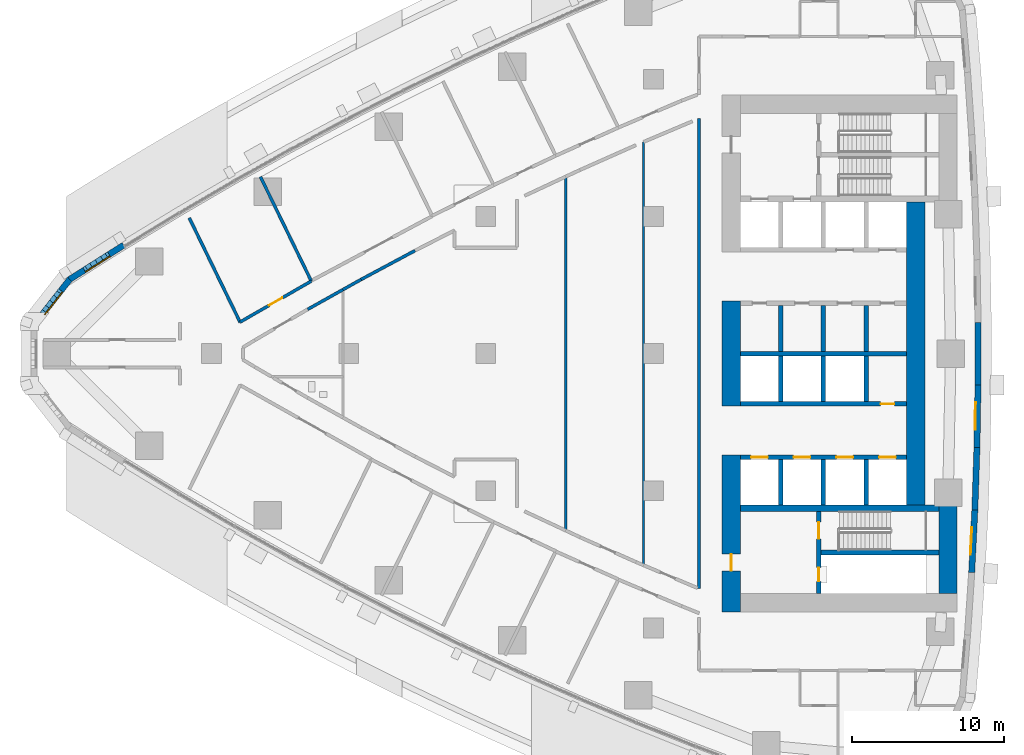
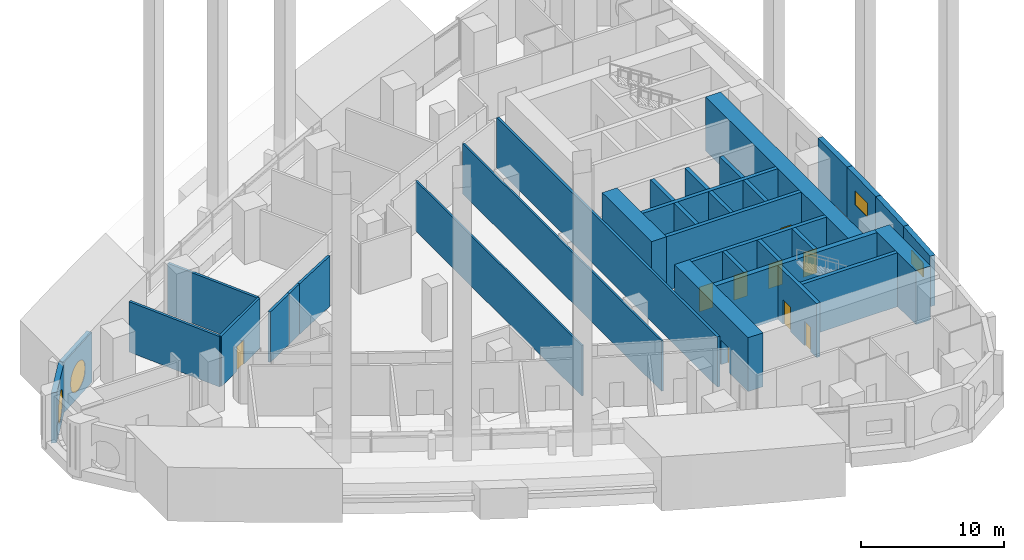
# One storey, part 11 of 20: 34 walls, 9 doors, 4 windows, 13 openings.
"""IFC4 building model written with IfcOpenShell, lengths in metres."""

from ifc_helpers import new_model, si_unit, direction, frame, frame_2d, origin, place, context, subcontext, project, spatial, polyline, rectangle, outline, extrude, material, layer, layer_set, type_object, element, fill, save


model = new_model("IFC4")

# Units and contexts
model_context = context("Model", 3, precision=1e-05, world=origin(), true_north=direction((0.0, 1.0)))
body_context = subcontext(model_context, "Body", "Model", "MODEL_VIEW")
ifc_project = project(units=[si_unit("LENGTHUNIT", "METRE"), si_unit("AREAUNIT", "SQUARE_METRE"), si_unit("VOLUMEUNIT", "CUBIC_METRE"), si_unit("PLANEANGLEUNIT", "RADIAN"), si_unit("MASSUNIT", "GRAM", prefix="KILO")], contexts=[model_context])

# Site, building, storey
site_placement = place(None, origin())
site = spatial("IfcSite", under=ifc_project, at=site_placement, CompositionType="ELEMENT")
building_placement = place(site_placement, origin())
building = spatial("IfcBuilding", under=site, at=building_placement, Name="Ostrand Prow Hotel Tower", CompositionType="ELEMENT")
storey_placement = place(building_placement, frame((0.0, 0.0, 35.0)))
storey = spatial("IfcBuildingStorey", under=building, at=storey_placement, Name="L06", CompositionType="ELEMENT", Elevation=35.0)

# Wall
ifc_material_1 = material(Name="Concrete C80/95", Category="concrete")
ifc_layer_1 = layer(ifc_material_1, 1.199951171875)
ifc_layer_set_1 = layer_set([ifc_layer_1], Name="Concrete C80/95")
wall_type_1 = type_object("IfcWallType", Name="Core wall 1200 C80/95", PredefinedType="SHEAR", material=ifc_layer_set_1)
wall_1_placement = place(storey_placement, frame((50.10009765625, -3.449951171875, 0.0), z_axis=(0.0, 0.0, 1.0), x_axis=(0.0, 1.0, 0.0)))
element("IfcWall", 1, at=wall_1_placement, inside=storey, type_object=wall_type_1, Name="Core wall CW-W-C", PredefinedType="SHEAR", context=body_context, shape_type="SweptSolid", body=[
    extrude(rectangle(XDim=6.89990234375, YDim=1.199951171875, at=frame_2d((3.449951171875, 0.0))), origin(), (0.0, 0.0, 1.0), 4.60009765625),
])

# Wall, opening, door
wall_2_placement = place(storey_placement, frame((50.10009765625, -16.949951171875, 0.0), z_axis=(0.0, 0.0, 1.0), x_axis=(0.0, 1.0, 0.0)))
wall_2 = element("IfcWall", 2, at=wall_2_placement, inside=storey, type_object=wall_type_1, Name="Core wall CW-W-S", PredefinedType="SHEAR", context=body_context, shape_type="SweptSolid", body=[
    extrude(rectangle(XDim=10.300048828125, YDim=1.199951171875, at=frame_2d((5.14990234375, 0.0))), origin(), (0.0, 0.0, 1.0), 4.60009765625),
])
opening_1_placement = place(wall_2_placement, frame((2.699951171875, 0.0, 0.0)))
opening_1 = element("IfcOpeningElement", 3, at=opening_1_placement, cuts=wall_2, Name="Opening FD1", PredefinedType="OPENING", context=body_context, shape_type="SweptSolid", body=[
    extrude(rectangle(XDim=1.10009765625, YDim=2.10009765625, at=frame_2d((0.550048828125, 1.050048828125))), frame((0.0, 0.60986328125, 0.0), z_axis=(0.0, -1.0, 0.0), x_axis=(1.0, 0.0, 0.0)), (0.0, 0.0, 1.0), 1.219970703125),
])
ifc_material_2 = material(Name="Steel fire door", Category="steel")
door_type_1 = type_object("IfcDoorType", Name="Fire door 1100 EI120", OperationType="SINGLE_SWING_RIGHT", PredefinedType="DOOR", material=ifc_material_2)
door_1_placement = place(opening_1_placement, origin())
door_1 = element("IfcDoor", 4, at=door_1_placement, inside=storey, type_object=door_type_1, Name="FIRE DOOR", OperationType="SINGLE_SWING_RIGHT", OverallHeight=2.10009765625, OverallWidth=1.10009765625, PredefinedType="DOOR", context=body_context, shape_type="SweptSolid", body=[
    extrude(rectangle(XDim=1.10009765625, YDim=2.10009765625, at=frame_2d((0.550048828125, 1.050048828125))), frame((0.0, 0.02490234375, 0.0), z_axis=(0.0, -1.0, 0.0), x_axis=(1.0, 0.0, 0.0)), (0.0, 0.0, 1.0), 0.050048828125),
])
fill(opening_1, door_1)

# Walls
wall_3_placement = place(storey_placement, frame((64.320068359375, -15.75, 0.0), z_axis=(0.0, 0.0, 1.0), x_axis=(0.0, 1.0, 0.0)))
element("IfcWall", 5, at=wall_3_placement, inside=storey, type_object=wall_type_1, Name="Core wall CW-E-S", PredefinedType="SHEAR", context=body_context, shape_type="SweptSolid", body=[
    extrude(rectangle(XDim=5.800048828125, YDim=1.199951171875, at=frame_2d((2.89990234375, 0.0))), origin(), (0.0, 0.0, 1.0), 4.60009765625),
])
wall_4_placement = place(storey_placement, frame((62.199951171875, -9.949951171875, 0.0), z_axis=(0.0, 0.0, 1.0), x_axis=(0.0, 1.0, 0.0)))
element("IfcWall", 6, at=wall_4_placement, inside=storey, type_object=wall_type_1, Name="Core wall CW-E-C", PredefinedType="SHEAR", context=body_context, shape_type="SweptSolid", body=[
    extrude(rectangle(XDim=19.89990234375, YDim=1.199951171875, at=frame_2d((9.949951171875, 0.0))), origin(), (0.0, 0.0, 1.0), 4.60009765625),
])
ifc_material_3 = material(Name="Concrete C80/95", Category="concrete")
ifc_layer_2 = layer(ifc_material_3, 0.300048828125)
ifc_layer_set_2 = layer_set([ifc_layer_2], Name="Concrete C80/95")
wall_type_2 = type_object("IfcWallType", Name="Core wall 300 C80/95", PredefinedType="SHEAR", material=ifc_layer_set_2)
wall_5_placement = place(storey_placement, frame((50.699951171875, 0.0, 0.0), z_axis=(0.0, 0.0, 1.0), x_axis=(1.0, 0.0, 0.0)))
element("IfcWall", 7, at=wall_5_placement, inside=storey, type_object=wall_type_2, Name="Core wall PW-C", PredefinedType="SHEAR", context=body_context, shape_type="SweptSolid", body=[
    extrude(rectangle(XDim=10.900146484375, YDim=0.300048828125, at=frame_2d((5.4501953125, 0.0))), origin(), (0.0, 0.0, 1.0), 4.60009765625),
])
for number, where, z_axis, x_axis, name in (
    (8, (53.35009765625, 0.14990234375, 0.0), (0.0, 0.0, 1.0), (0.0, 1.0, 0.0), "Core wall PW-R1-NB"),
    (9, (56.14990234375, 0.14990234375, 0.0), (0.0, 0.0, 1.0), (0.0, 1.0, 0.0), "Core wall PW-R2-NB"),
    (10, (58.949951171875, 0.14990234375, 0.0), (0.0, 0.0, 1.0), (0.0, 1.0, 0.0), "Core wall PW-R3-NB"),
):
    element("IfcWall", number, at=place(storey_placement, frame(where, z_axis=z_axis, x_axis=x_axis)), inside=storey, type_object=wall_type_2, Name=name, PredefinedType="SHEAR", context=body_context, shape_type="SweptSolid", body=[
        extrude(rectangle(XDim=3.0, YDim=0.300048828125, at=frame_2d((1.5, 0.0))), origin(), (0.0, 0.0, 1.0), 4.60009765625),
    ])

# Wall, opening, door
wall_6_placement = place(storey_placement, frame((50.699951171875, -3.300048828125, 0.0), z_axis=(0.0, 0.0, 1.0), x_axis=(1.0, 0.0, 0.0)))
wall_6 = element("IfcWall", 11, at=wall_6_placement, inside=storey, type_object=wall_type_2, Name="Core wall PW-L1-S", PredefinedType="SHEAR", context=body_context, shape_type="SweptSolid", body=[
    extrude(rectangle(XDim=10.900146484375, YDim=0.300048828125, at=frame_2d((5.4501953125, 0.0))), origin(), (0.0, 0.0, 1.0), 4.60009765625),
])
opening_2_placement = place(wall_6_placement, frame((9.199951171875, 0.0, 0.0)))
opening_2 = element("IfcOpeningElement", 12, at=opening_2_placement, cuts=wall_6, Name="Opening FD2", PredefinedType="OPENING", context=body_context, shape_type="SweptSolid", body=[
    extrude(rectangle(XDim=0.89990234375, YDim=2.10009765625, at=frame_2d((0.449951171875, 1.050048828125))), frame((0.0, 0.159912109375, 0.0), z_axis=(0.0, -1.0, 0.0), x_axis=(1.0, 0.0, 0.0)), (0.0, 0.0, 1.0), 0.320068359375),
])
ifc_material_4 = material(Name="Steel fire door", Category="steel")
door_type_2 = type_object("IfcDoorType", Name="Fire door 900 EI120", OperationType="SINGLE_SWING_LEFT", PredefinedType="DOOR", material=ifc_material_4)
door_2_placement = place(opening_2_placement, origin())
door_2 = element("IfcDoor", 13, at=door_2_placement, inside=storey, type_object=door_type_2, Name="DOOR", OperationType="SINGLE_SWING_LEFT", OverallHeight=2.10009765625, OverallWidth=0.89990234375, PredefinedType="DOOR", context=body_context, shape_type="SweptSolid", body=[
    extrude(rectangle(XDim=0.89990234375, YDim=2.10009765625, at=frame_2d((0.449951171875, 1.050048828125))), frame((0.0, 0.02490234375, 0.0), z_axis=(0.0, -1.0, 0.0), x_axis=(1.0, 0.0, 0.0)), (0.0, 0.0, 1.0), 0.050048828125),
])
fill(opening_2, door_2)

# Wall, openings, doors
wall_7_placement = place(storey_placement, frame((50.699951171875, -6.800048828125, 0.0), z_axis=(0.0, 0.0, 1.0), x_axis=(1.0, 0.0, 0.0)))
wall_7 = element("IfcWall", 14, at=wall_7_placement, inside=storey, type_object=wall_type_2, Name="Core wall PW-L2-S", PredefinedType="SHEAR", context=body_context, shape_type="SweptSolid", body=[
    extrude(rectangle(XDim=10.900146484375, YDim=0.300048828125, at=frame_2d((5.4501953125, 0.0))), origin(), (0.0, 0.0, 1.0), 4.60009765625),
])
opening_3_placement = place(wall_7_placement, frame((0.699951171875, 0.0, 0.0)))
opening_3 = element("IfcOpeningElement", 15, at=opening_3_placement, cuts=wall_7, Name="Opening LD", PredefinedType="OPENING", context=body_context, shape_type="SweptSolid", body=[
    extrude(rectangle(XDim=1.10009765625, YDim=2.10009765625, at=frame_2d((0.550048828125, 1.050048828125))), frame((0.0, 0.159912109375, 0.0), z_axis=(0.0, -1.0, 0.0), x_axis=(1.0, 0.0, 0.0)), (0.0, 0.0, 1.0), 0.320068359375),
])
opening_4_placement = place(wall_7_placement, frame((3.5, 0.0, 0.0)))
opening_4 = element("IfcOpeningElement", 16, at=opening_4_placement, cuts=wall_7, Name="Opening LD", PredefinedType="OPENING", context=body_context, shape_type="SweptSolid", body=[
    extrude(rectangle(XDim=1.10009765625, YDim=2.10009765625, at=frame_2d((0.550048828125, 1.050048828125))), frame((0.0, 0.159912109375, 0.0), z_axis=(0.0, -1.0, 0.0), x_axis=(1.0, 0.0, 0.0)), (0.0, 0.0, 1.0), 0.320068359375),
])
opening_5_placement = place(wall_7_placement, frame((6.300048828125, 0.0, 0.0)))
opening_5 = element("IfcOpeningElement", 17, at=opening_5_placement, cuts=wall_7, Name="Opening LD", PredefinedType="OPENING", context=body_context, shape_type="SweptSolid", body=[
    extrude(rectangle(XDim=1.10009765625, YDim=2.10009765625, at=frame_2d((0.550048828125, 1.050048828125))), frame((0.0, 0.159912109375, 0.0), z_axis=(0.0, -1.0, 0.0), x_axis=(1.0, 0.0, 0.0)), (0.0, 0.0, 1.0), 0.320068359375),
])
opening_6_placement = place(wall_7_placement, frame((9.10009765625, 0.0, 0.0)))
opening_6 = element("IfcOpeningElement", 18, at=opening_6_placement, cuts=wall_7, Name="Opening LD", PredefinedType="OPENING", context=body_context, shape_type="SweptSolid", body=[
    extrude(rectangle(XDim=1.10009765625, YDim=2.10009765625, at=frame_2d((0.550048828125, 1.050048828125))), frame((0.0, 0.159912109375, 0.0), z_axis=(0.0, -1.0, 0.0), x_axis=(1.0, 0.0, 0.0)), (0.0, 0.0, 1.0), 0.320068359375),
])
ifc_material_5 = material(Name="Stainless steel door", Category="steel")
door_type_3 = type_object("IfcDoorType", Name="Lift landing door 1100", OperationType="DOUBLE_DOOR_SLIDING", PredefinedType="DOOR", material=ifc_material_5)
door_3_placement = place(opening_3_placement, origin())
door_3 = element("IfcDoor", 19, at=door_3_placement, inside=storey, type_object=door_type_3, Name="LIFT LANDING DOOR", OperationType="DOUBLE_DOOR_SLIDING", OverallHeight=2.10009765625, OverallWidth=1.10009765625, PredefinedType="DOOR", context=body_context, shape_type="SweptSolid", body=[
    extrude(rectangle(XDim=1.10009765625, YDim=2.10009765625, at=frame_2d((0.550048828125, 1.050048828125))), frame((0.0, 0.02490234375, 0.0), z_axis=(0.0, -1.0, 0.0), x_axis=(1.0, 0.0, 0.0)), (0.0, 0.0, 1.0), 0.050048828125),
])
fill(opening_3, door_3)
door_4_placement = place(opening_4_placement, origin())
door_4 = element("IfcDoor", 20, at=door_4_placement, inside=storey, type_object=door_type_3, Name="LIFT LANDING DOOR", OperationType="DOUBLE_DOOR_SLIDING", OverallHeight=2.10009765625, OverallWidth=1.10009765625, PredefinedType="DOOR", context=body_context, shape_type="SweptSolid", body=[
    extrude(rectangle(XDim=1.10009765625, YDim=2.10009765625, at=frame_2d((0.550048828125, 1.050048828125))), frame((0.0, 0.02490234375, 0.0), z_axis=(0.0, -1.0, 0.0), x_axis=(1.0, 0.0, 0.0)), (0.0, 0.0, 1.0), 0.050048828125),
])
fill(opening_4, door_4)
door_5_placement = place(opening_5_placement, origin())
door_5 = element("IfcDoor", 21, at=door_5_placement, inside=storey, type_object=door_type_3, Name="LIFT LANDING DOOR", OperationType="DOUBLE_DOOR_SLIDING", OverallHeight=2.10009765625, OverallWidth=1.10009765625, PredefinedType="DOOR", context=body_context, shape_type="SweptSolid", body=[
    extrude(rectangle(XDim=1.10009765625, YDim=2.10009765625, at=frame_2d((0.550048828125, 1.050048828125))), frame((0.0, 0.02490234375, 0.0), z_axis=(0.0, -1.0, 0.0), x_axis=(1.0, 0.0, 0.0)), (0.0, 0.0, 1.0), 0.050048828125),
])
fill(opening_5, door_5)
door_6_placement = place(opening_6_placement, origin())
door_6 = element("IfcDoor", 22, at=door_6_placement, inside=storey, type_object=door_type_3, Name="LIFT LANDING DOOR", OperationType="DOUBLE_DOOR_SLIDING", OverallHeight=2.10009765625, OverallWidth=1.10009765625, PredefinedType="DOOR", context=body_context, shape_type="SweptSolid", body=[
    extrude(rectangle(XDim=1.10009765625, YDim=2.10009765625, at=frame_2d((0.550048828125, 1.050048828125))), frame((0.0, 0.02490234375, 0.0), z_axis=(0.0, -1.0, 0.0), x_axis=(1.0, 0.0, 0.0)), (0.0, 0.0, 1.0), 0.050048828125),
])
fill(opening_6, door_6)

# Walls
for number, where, z_axis, x_axis, name in (
    (23, (53.35009765625, -3.14990234375, 0.0), (0.0, 0.0, 1.0), (0.0, 1.0, 0.0), "Core wall PW-R1-SB"),
    (24, (53.35009765625, -9.949951171875, 0.0), (0.0, 0.0, 1.0), (0.0, 1.0, 0.0), "Core wall PW-R1-SA"),
    (25, (56.14990234375, -3.14990234375, 0.0), (0.0, 0.0, 1.0), (0.0, 1.0, 0.0), "Core wall PW-R2-SB"),
    (26, (56.14990234375, -9.949951171875, 0.0), (0.0, 0.0, 1.0), (0.0, 1.0, 0.0), "Core wall PW-R2-SA"),
    (27, (58.949951171875, -3.14990234375, 0.0), (0.0, 0.0, 1.0), (0.0, 1.0, 0.0), "Core wall PW-R3-SB"),
    (28, (58.949951171875, -9.949951171875, 0.0), (0.0, 0.0, 1.0), (0.0, 1.0, 0.0), "Core wall PW-R3-SA"),
):
    element("IfcWall", number, at=place(storey_placement, frame(where, z_axis=z_axis, x_axis=x_axis)), inside=storey, type_object=wall_type_2, Name=name, PredefinedType="SHEAR", context=body_context, shape_type="SweptSolid", body=[
        extrude(rectangle(XDim=3.0, YDim=0.300048828125, at=frame_2d((1.5, 0.0))), origin(), (0.0, 0.0, 1.0), 4.60009765625),
    ])

# Wall, openings, doors
wall_8_placement = place(storey_placement, frame((55.85009765625, -15.75, 0.0), z_axis=(0.0, 0.0, 1.0), x_axis=(0.0, 1.0, 0.0)))
wall_8 = element("IfcWall", 29, at=wall_8_placement, inside=storey, type_object=wall_type_2, Name="Core wall PW-VS", PredefinedType="SHEAR", context=body_context, shape_type="SweptSolid", body=[
    extrude(rectangle(XDim=5.39990234375, YDim=0.300048828125, at=frame_2d((2.699951171875, 0.0))), origin(), (0.0, 0.0, 1.0), 4.60009765625),
])
opening_7_placement = place(wall_8_placement, frame((3.60009765625, 0.0, 0.0)))
opening_7 = element("IfcOpeningElement", 30, at=opening_7_placement, cuts=wall_8, Name="Opening FD1", PredefinedType="OPENING", context=body_context, shape_type="SweptSolid", body=[
    extrude(rectangle(XDim=1.10009765625, YDim=2.10009765625, at=frame_2d((0.550048828125, 1.050048828125))), frame((0.0, 0.159912109375, 0.0), z_axis=(0.0, -1.0, 0.0), x_axis=(1.0, 0.0, 0.0)), (0.0, 0.0, 1.0), 0.320068359375),
])
opening_8_placement = place(wall_8_placement, frame((0.800048828125, 0.0, 0.0)))
opening_8 = element("IfcOpeningElement", 31, at=opening_8_placement, cuts=wall_8, Name="Opening FD2", PredefinedType="OPENING", context=body_context, shape_type="SweptSolid", body=[
    extrude(rectangle(XDim=0.89990234375, YDim=2.10009765625, at=frame_2d((0.449951171875, 1.050048828125))), frame((0.0, 0.159912109375, 0.0), z_axis=(0.0, -1.0, 0.0), x_axis=(1.0, 0.0, 0.0)), (0.0, 0.0, 1.0), 0.320068359375),
])
door_7_placement = place(opening_7_placement, origin())
door_7 = element("IfcDoor", 32, at=door_7_placement, inside=storey, type_object=door_type_1, Name="FIRE DOOR", OperationType="SINGLE_SWING_RIGHT", OverallHeight=2.10009765625, OverallWidth=1.10009765625, PredefinedType="DOOR", context=body_context, shape_type="SweptSolid", body=[
    extrude(rectangle(XDim=1.10009765625, YDim=2.10009765625, at=frame_2d((0.550048828125, 1.050048828125))), frame((0.0, 0.02490234375, 0.0), z_axis=(0.0, -1.0, 0.0), x_axis=(1.0, 0.0, 0.0)), (0.0, 0.0, 1.0), 0.050048828125),
])
fill(opening_7, door_7)
door_8_placement = place(opening_8_placement, origin())
door_8 = element("IfcDoor", 33, at=door_8_placement, inside=storey, type_object=door_type_2, Name="FIRE DOOR", OperationType="SINGLE_SWING_LEFT", OverallHeight=2.10009765625, OverallWidth=0.89990234375, PredefinedType="DOOR", context=body_context, shape_type="SweptSolid", body=[
    extrude(rectangle(XDim=0.89990234375, YDim=2.10009765625, at=frame_2d((0.449951171875, 1.050048828125))), frame((0.0, 0.02490234375, 0.0), z_axis=(0.0, -1.0, 0.0), x_axis=(1.0, 0.0, 0.0)), (0.0, 0.0, 1.0), 0.050048828125),
])
fill(opening_8, door_8)

# Walls
wall_9_placement = place(storey_placement, frame((56.0, -13.050048828125, 0.0), z_axis=(0.0, 0.0, 1.0), x_axis=(1.0, 0.0, 0.0)))
element("IfcWall", 34, at=wall_9_placement, inside=storey, type_object=wall_type_2, Name="Core wall PW-ST2R", PredefinedType="SHEAR", context=body_context, shape_type="SweptSolid", body=[
    extrude(rectangle(XDim=7.719970703125, YDim=0.300048828125, at=frame_2d((3.85986328125, 0.0))), origin(), (0.0, 0.0, 1.0), 4.60009765625),
])
ifc_material_6 = material(Name="Concrete C80/95", Category="concrete")
ifc_layer_3 = layer(ifc_material_6, 0.39990234375)
ifc_layer_set_3 = layer_set([ifc_layer_3], Name="Concrete C80/95")
wall_type_3 = type_object("IfcWallType", Name="Core wall 400 C80/95", PredefinedType="SHEAR", material=ifc_layer_set_3)
wall_10_placement = place(storey_placement, frame((50.699951171875, -10.14990234375, 0.0), z_axis=(0.0, 0.0, 1.0), x_axis=(1.0, 0.0, 0.0)))
element("IfcWall", 35, at=wall_10_placement, inside=storey, type_object=wall_type_3, Name="Core wall PW-BS", PredefinedType="SHEAR", context=body_context, shape_type="SweptSolid", body=[
    extrude(rectangle(XDim=13.02001953125, YDim=0.39990234375, at=frame_2d((6.510009765625, 0.0))), origin(), (0.0, 0.0, 1.0), 4.60009765625),
])
ifc_material_7 = material(Name="Plasterboard partition")
ifc_layer_4 = layer(ifc_material_7, 0.14990234375)
ifc_layer_set_4 = layer_set([ifc_layer_4], Name="Plasterboard partition")
wall_type_4 = type_object("IfcWallType", Name="Partition 150 room partition", PredefinedType="PARTITIONING", material=ifc_layer_set_4)
wall_11_placement = place(storey_placement, frame((39.234130859375, -11.60693359375, 0.0), z_axis=(0.0, 0.0, 1.0), x_axis=(0.0, 1.0, 0.0)))
element("IfcWall", 36, at=wall_11_placement, inside=storey, type_object=wall_type_4, Name="ROOM PARTITION", PredefinedType="PARTITIONING", context=body_context, shape_type="SweptSolid", body=[
    extrude(rectangle(XDim=23.2138671875, YDim=0.14990234375, at=frame_2d((11.60693359375, 0.0))), origin(), (0.0, 0.0, 1.0), 4.300048828125),
])
wall_12_placement = place(storey_placement, frame((44.34765625, -13.88720703125, 0.0), z_axis=(0.0, 0.0, 1.0), x_axis=(0.0, 1.0, 0.0)))
element("IfcWall", 37, at=wall_12_placement, inside=storey, type_object=wall_type_4, Name="ROOM PARTITION", PredefinedType="PARTITIONING", context=body_context, shape_type="SweptSolid", body=[
    extrude(rectangle(XDim=27.7744140625, YDim=0.14990234375, at=frame_2d((13.88720703125, 0.0))), origin(), (0.0, 0.0, 1.0), 4.300048828125),
])

# Wall, opening, door
ifc_material_8 = material(Name="Plasterboard partition")
ifc_layer_5 = layer(ifc_material_8, 0.199951171875)
ifc_layer_set_5 = layer_set([ifc_layer_5], Name="Plasterboard partition")
wall_type_5 = type_object("IfcWallType", Name="Partition 200 corridor wall", PredefinedType="PARTITIONING", material=ifc_layer_set_5)
wall_13_placement = place(storey_placement, frame((17.87353515625, 2.068115234375, 0.0), z_axis=(0.0, 0.0, 1.0), x_axis=(0.867093061484, 0.4981461861, 0.0)))
wall_13 = element("IfcWall", 38, at=wall_13_placement, inside=storey, type_object=wall_type_5, Name="CORRIDOR WALL", PredefinedType="PARTITIONING", context=body_context, shape_type="SweptSolid", body=[
    extrude(rectangle(XDim=5.39306640625, YDim=0.199951171875, at=frame_2d((2.696533203125, 0.0))), origin(), (0.0, 0.0, 1.0), 4.300048828125),
])
opening_9_placement = place(wall_13_placement, frame((2.196533203125, 0.0, 0.0)))
opening_9 = element("IfcOpeningElement", 39, at=opening_9_placement, cuts=wall_13, Name="Opening D1", PredefinedType="OPENING", context=body_context, shape_type="SweptSolid", body=[
    extrude(rectangle(XDim=1.0, YDim=2.10009765625, at=frame_2d((0.5, 1.050048828125))), frame((0.0, 0.10986328125, 0.0), z_axis=(0.0, -1.0, 0.0), x_axis=(1.0, 0.0, 0.0)), (0.0, 0.0, 1.0), 0.219970703125),
])
ifc_material_9 = material(Name="Timber door leaf", Category="wood")
door_type_4 = type_object("IfcDoorType", Name="Guest room door 1000", OperationType="SINGLE_SWING_LEFT", PredefinedType="DOOR", material=ifc_material_9)
door_9_placement = place(opening_9_placement, origin())
door_9 = element("IfcDoor", 40, at=door_9_placement, inside=storey, type_object=door_type_4, Name="DOOR", OperationType="SINGLE_SWING_LEFT", OverallHeight=2.10009765625, OverallWidth=1.0, PredefinedType="DOOR", context=body_context, shape_type="SweptSolid", body=[
    extrude(rectangle(XDim=1.0, YDim=2.10009765625, at=frame_2d((0.5, 1.050048828125))), frame((0.0, 0.02490234375, 0.0), z_axis=(0.0, -1.0, 0.0), x_axis=(1.0, 0.0, 0.0)), (0.0, 0.0, 1.0), 0.050048828125),
])
fill(opening_9, door_9)

# Walls
wall_14_placement = place(storey_placement, frame((22.31201171875, 2.903076171875, 0.0), z_axis=(0.0, 0.0, 1.0), x_axis=(0.87283266248, 0.48801961365, 0.0)))
element("IfcWall", 41, at=wall_14_placement, inside=storey, type_object=wall_type_5, Name="CORRIDOR WALL", PredefinedType="PARTITIONING", context=body_context, shape_type="SweptSolid", body=[
    extrude(rectangle(XDim=2.6494140625, YDim=0.199951171875, at=frame_2d((1.32470703125, 0.0))), origin(), (0.0, 0.0, 1.0), 4.300048828125),
])
wall_15_placement = place(storey_placement, frame((24.62451171875, 4.196044921875, 0.0), z_axis=(0.0, 0.0, 1.0), x_axis=(0.872737500828, 0.488189773191, 0.0)))
element("IfcWall", 42, at=wall_15_placement, inside=storey, type_object=wall_type_5, Name="CORRIDOR WALL", PredefinedType="PARTITIONING", context=body_context, shape_type="SweptSolid", body=[
    extrude(rectangle(XDim=1.3662109375, YDim=0.199951171875, at=frame_2d((0.68310546875, 0.0))), origin(), (0.0, 0.0, 1.0), 4.300048828125),
])
wall_16_placement = place(storey_placement, frame((25.81689453125, 4.863037109375, 0.0), z_axis=(0.0, 0.0, 1.0), x_axis=(0.881655245922, 0.471894084874, 0.0)))
element("IfcWall", 43, at=wall_16_placement, inside=storey, type_object=wall_type_5, Name="CORRIDOR WALL", PredefinedType="PARTITIONING", context=body_context, shape_type="SweptSolid", body=[
    extrude(rectangle(XDim=4.015869140625, YDim=0.199951171875, at=frame_2d((2.0078125, 0.0))), origin(), (0.0, 0.0, 1.0), 4.300048828125),
])
wall_17_placement = place(storey_placement, frame((48.0, 15.4140625, 0.0), z_axis=(0.0, 0.0, 1.0), x_axis=(0.0, -1.0, 0.0)))
element("IfcWall", 44, at=wall_17_placement, inside=storey, type_object=wall_type_5, Name="CORRIDOR WALL", PredefinedType="PARTITIONING", context=body_context, shape_type="SweptSolid", body=[
    extrude(rectangle(XDim=30.828125, YDim=0.199951171875, at=frame_2d((15.4140625, 0.0))), origin(), (0.0, 0.0, 1.0), 4.300048828125),
])
ifc_material_10 = material(Name="Plasterboard partition")
ifc_layer_6 = layer(ifc_material_10, 0.199951171875)
ifc_layer_set_6 = layer_set([ifc_layer_6], Name="Plasterboard partition")
wall_type_6 = type_object("IfcWallType", Name="Partition 200 key partition", PredefinedType="PARTITIONING", material=ifc_layer_set_6)
wall_18_placement = place(storey_placement, frame((17.88232421875, 2.050048828125, 0.0), z_axis=(0.0, 0.0, 1.0), x_axis=(-0.438213564788, 0.898870887078, 0.0)))
element("IfcWall", 45, at=wall_18_placement, inside=storey, type_object=wall_type_6, Name="KEY PARTITION", PredefinedType="PARTITIONING", context=body_context, shape_type="SweptSolid", body=[
    extrude(rectangle(XDim=7.62548828125, YDim=0.199951171875, at=frame_2d((3.812744140625, 0.0))), origin(), (0.0, 0.0, 1.0), 4.300048828125),
])
wall_19_placement = place(storey_placement, frame((22.5498046875, 4.754638671875, 0.0), z_axis=(0.0, 0.0, 1.0), x_axis=(-0.438210669268, 0.898872298683, 0.0)))
element("IfcWall", 46, at=wall_19_placement, inside=storey, type_object=wall_type_6, Name="KEY PARTITION", PredefinedType="PARTITIONING", context=body_context, shape_type="SweptSolid", body=[
    extrude(rectangle(XDim=7.612060546875, YDim=0.199951171875, at=frame_2d((3.80615234375, 0.0))), origin(), (0.0, 0.0, 1.0), 4.300048828125),
])

# Wall, opening, window
ifc_material_11 = material(Name="Precast concrete C40/50", Category="concrete")
ifc_layer_7 = layer(ifc_material_11, 0.39990234375)
ifc_layer_set_7 = layer_set([ifc_layer_7], Name="Precast concrete C40/50")
wall_type_7 = type_object("IfcWallType", Name="Stone-faced precast wall 400 mm", PredefinedType="NOTDEFINED", material=ifc_layer_set_7)
wall_20_placement = place(storey_placement, frame((10.24169921875, 7.116455078125, 0.0), z_axis=(0.0, 0.0, 1.0), x_axis=(-0.844551578623, -0.535474211372, 0.0)))
wall_20 = element("IfcWall", 47, at=wall_20_placement, inside=storey, type_object=wall_type_7, Name="Stone-faced wall prow 1", PredefinedType="NOTDEFINED", context=body_context, shape_type="SweptSolid", body=[
    extrude(outline(polyline([(0.0, -0.199951171875), (4.23046875, -0.199951171875), (4.16162109375, 0.199951171875), (0.0, 0.199951171875), (0.0, -0.199951171875)])), origin(), (0.0, 0.0, 1.0), 4.300048828125),
])
opening_10_placement = place(wall_20_placement, frame((0.998046875, 0.0, 0.60009765625)))
opening_10 = element("IfcOpeningElement", 48, at=opening_10_placement, cuts=wall_20, Name="Opening WP2", PredefinedType="OPENING", context=body_context, shape_type="SweptSolid", body=[
    extrude(outline(polyline([(0.0, 1.35009765625), (0.083740234375, 1.77099609375), (0.322265625, 2.127685546875), (0.678955078125, 2.3662109375), (1.10009765625, 2.449951171875), (1.52099609375, 2.3662109375), (1.877685546875, 2.127685546875), (2.1162109375, 1.77099609375), (2.199951171875, 1.35009765625), (2.199951171875, 1.10009765625), (2.1162109375, 0.678955078125), (1.877685546875, 0.322265625), (1.52099609375, 0.083740234375), (1.10009765625, 0.0), (0.678955078125, 0.083740234375), (0.322265625, 0.322265625), (0.083740234375, 0.678955078125), (0.0, 1.099853515625), (0.0, 1.35009765625)])), frame((0.0, 0.2099609375, 0.0), z_axis=(0.0, -1.0, 0.0), x_axis=(1.0, 0.0, 0.0)), (0.0, 0.0, 1.0), 0.419921875),
])
ifc_material_12 = material(Name="Insulated glass in bronze frame", Category="glass")
window_type_1 = type_object("IfcWindowType", Name="Round-ended prow lounge window 2200x2450", PartitioningType="SINGLE_PANEL", PredefinedType="WINDOW", material=ifc_material_12)
window_1_placement = place(opening_10_placement, origin())
window_1 = element("IfcWindow", 49, at=window_1_placement, inside=storey, type_object=window_type_1, Name="Window prow 1.1", OverallHeight=2.449951171875, OverallWidth=2.199951171875, PartitioningType="SINGLE_PANEL", PredefinedType="WINDOW", context=body_context, shape_type="SweptSolid", body=[
    extrude(outline(polyline([(0.0, 1.35009765625), (0.083740234375, 1.77099609375), (0.322265625, 2.127685546875), (0.678955078125, 2.3662109375), (1.10009765625, 2.449951171875), (1.52099609375, 2.3662109375), (1.877685546875, 2.127685546875), (2.1162109375, 1.77099609375), (2.199951171875, 1.35009765625), (2.199951171875, 1.10009765625), (2.1162109375, 0.678955078125), (1.877685546875, 0.322265625), (1.52099609375, 0.083740234375), (1.10009765625, 0.0), (0.678955078125, 0.083740234375), (0.322265625, 0.322265625), (0.083740234375, 0.678955078125), (0.0, 1.099853515625), (0.0, 1.35009765625)])), frame((0.0, 0.169921875, 0.0), z_axis=(0.0, -1.0, 0.0), x_axis=(1.0, 0.0, 0.0)), (0.0, 0.0, 1.0), 0.06005859375),
])
fill(opening_10, window_1)

wall_21_placement = place(storey_placement, frame((6.697998046875, 4.86962890625, 0.0), z_axis=(0.0, 0.0, 1.0), x_axis=(-0.616586647779, -0.787287054245, 0.0)))
wall_21 = element("IfcWall", 50, at=wall_21_placement, inside=storey, type_object=wall_type_7, Name="Stone-faced wall prow 2", PredefinedType="NOTDEFINED", context=body_context, shape_type="SweptSolid", body=[
    extrude(outline(polyline([(-0.034423828125, -0.199951171875), (3.85205078125, -0.199951171875), (3.7138671875, 0.199951171875), (0.034423828125, 0.199951171875), (-0.034423828125, -0.199951171875)])), origin(), (0.0, 0.0, 1.0), 4.300048828125),
])
opening_11_placement = place(wall_21_placement, frame((0.79150390625, 0.0, 0.60009765625)))
opening_11 = element("IfcOpeningElement", 51, at=opening_11_placement, cuts=wall_21, Name="Opening WP2", PredefinedType="OPENING", context=body_context, shape_type="SweptSolid", body=[
    extrude(outline(polyline([(0.0, 1.35009765625), (0.083740234375, 1.77099609375), (0.322265625, 2.127685546875), (0.678955078125, 2.3662109375), (1.10009765625, 2.449951171875), (1.52099609375, 2.3662109375), (1.877685546875, 2.127685546875), (2.1162109375, 1.77099609375), (2.199951171875, 1.35009765625), (2.199951171875, 1.10009765625), (2.1162109375, 0.678955078125), (1.877685546875, 0.322265625), (1.52099609375, 0.083740234375), (1.10009765625, 0.0), (0.678955078125, 0.083740234375), (0.322265625, 0.322265625), (0.083740234375, 0.678955078125), (0.0, 1.099853515625), (0.0, 1.35009765625)])), frame((0.0, 0.2099609375, 0.0), z_axis=(0.0, -1.0, 0.0), x_axis=(1.0, 0.0, 0.0)), (0.0, 0.0, 1.0), 0.419921875),
])
window_2_placement = place(opening_11_placement, origin())
window_2 = element("IfcWindow", 52, at=window_2_placement, inside=storey, type_object=window_type_1, Name="Window prow 2.1", OverallHeight=2.449951171875, OverallWidth=2.199951171875, PartitioningType="SINGLE_PANEL", PredefinedType="WINDOW", context=body_context, shape_type="SweptSolid", body=[
    extrude(outline(polyline([(0.0, 1.35009765625), (0.083740234375, 1.77099609375), (0.322265625, 2.127685546875), (0.678955078125, 2.3662109375), (1.10009765625, 2.449951171875), (1.52099609375, 2.3662109375), (1.877685546875, 2.127685546875), (2.1162109375, 1.77099609375), (2.199951171875, 1.35009765625), (2.199951171875, 1.10009765625), (2.1162109375, 0.678955078125), (1.877685546875, 0.322265625), (1.52099609375, 0.083740234375), (1.10009765625, 0.0), (0.678955078125, 0.083740234375), (0.322265625, 0.322265625), (0.083740234375, 0.678955078125), (0.0, 1.099853515625), (0.0, 1.35009765625)])), frame((0.0, 0.169921875, 0.0), z_axis=(0.0, -1.0, 0.0), x_axis=(1.0, 0.0, 0.0)), (0.0, 0.0, 1.0), 0.06005859375),
])
fill(opening_11, window_2)

wall_22_placement = place(storey_placement, frame((65.878173828125, -14.359619140625, 0.0), z_axis=(0.0, 0.0, 1.0), x_axis=(0.050314326423, 0.998733432181, 0.0)))
wall_22 = element("IfcWall", 53, at=wall_22_placement, inside=storey, type_object=wall_type_7, Name="Stone-faced wall back 7", PredefinedType="NOTDEFINED", context=body_context, shape_type="SweptSolid", body=[
    extrude(outline(polyline([(-0.001708984375, -0.199951171875), (4.106689453125, -0.199951171875), (4.103271484375, 0.199951171875), (0.001708984375, 0.199951171875), (-0.001708984375, -0.199951171875)])), origin(), (0.0, 0.0, 1.0), 4.300048828125),
])
opening_12_placement = place(wall_22_placement, frame((1.152587890625, 0.0, 1.800048828125)))
opening_12 = element("IfcOpeningElement", 54, at=opening_12_placement, cuts=wall_22, Name="Opening WC1", PredefinedType="OPENING", context=body_context, shape_type="SweptSolid", body=[
    extrude(rectangle(XDim=1.800048828125, YDim=1.199951171875, at=frame_2d((0.89990234375, 0.60009765625))), frame((0.0, 0.2099609375, 0.0), z_axis=(0.0, -1.0, 0.0), x_axis=(1.0, 0.0, 0.0)), (0.0, 0.0, 1.0), 0.419921875),
])
ifc_material_13 = material(Name="Insulated glass in bronze frame", Category="glass")
window_type_2 = type_object("IfcWindowType", Name="Sky lobby clerestory window 1800x1200", PartitioningType="SINGLE_PANEL", PredefinedType="WINDOW", material=ifc_material_13)
window_3_placement = place(opening_12_placement, origin())
window_3 = element("IfcWindow", 55, at=window_3_placement, inside=storey, type_object=window_type_2, Name="Window back 7.1", OverallHeight=1.199951171875, OverallWidth=1.800048828125, PartitioningType="SINGLE_PANEL", PredefinedType="WINDOW", context=body_context, shape_type="SweptSolid", body=[
    extrude(rectangle(XDim=1.800048828125, YDim=1.199951171875, at=frame_2d((0.89990234375, 0.60009765625))), frame((0.0, 0.169921875, 0.0), z_axis=(0.0, -1.0, 0.0), x_axis=(1.0, 0.0, 0.0)), (0.0, 0.0, 1.0), 0.06005859375),
])
fill(opening_12, window_3)

# Wall
wall_23_placement = place(storey_placement, frame((66.084716796875, -10.259765625, 0.0), z_axis=(0.0, 0.0, 1.0), x_axis=(0.033542554696, 0.999437290191, 0.0)))
element("IfcWall", 56, at=wall_23_placement, inside=storey, type_object=wall_type_7, Name="Stone-faced wall back 8", PredefinedType="NOTDEFINED", context=body_context, shape_type="SweptSolid", body=[
    extrude(outline(polyline([(-0.001708984375, -0.199951171875), (4.106689453125, -0.199951171875), (4.103271484375, 0.199951171875), (0.001708984375, 0.199951171875), (-0.001708984375, -0.199951171875)])), origin(), (0.0, 0.0, 1.0), 4.300048828125),
])

# Wall, opening, window
wall_24_placement = place(storey_placement, frame((66.222412109375, -6.156982421875, 0.0), z_axis=(0.0, 0.0, 1.0), x_axis=(0.016830829972, 0.999858351549, 0.0)))
wall_24 = element("IfcWall", 57, at=wall_24_placement, inside=storey, type_object=wall_type_7, Name="Stone-faced wall back 9", PredefinedType="NOTDEFINED", context=body_context, shape_type="SweptSolid", body=[
    extrude(outline(polyline([(-0.001708984375, -0.199951171875), (4.106689453125, -0.199951171875), (4.103271484375, 0.199951171875), (0.001708984375, 0.199951171875), (-0.001708984375, -0.199951171875)])), origin(), (0.0, 0.0, 1.0), 4.300048828125),
])
opening_13_placement = place(wall_24_placement, frame((1.152587890625, 0.0, 1.800048828125)))
opening_13 = element("IfcOpeningElement", 58, at=opening_13_placement, cuts=wall_24, Name="Opening WC1", PredefinedType="OPENING", context=body_context, shape_type="SweptSolid", body=[
    extrude(rectangle(XDim=1.800048828125, YDim=1.199951171875, at=frame_2d((0.89990234375, 0.60009765625))), frame((0.0, 0.2099609375, 0.0), z_axis=(0.0, -1.0, 0.0), x_axis=(1.0, 0.0, 0.0)), (0.0, 0.0, 1.0), 0.419921875),
])
window_4_placement = place(opening_13_placement, origin())
window_4 = element("IfcWindow", 59, at=window_4_placement, inside=storey, type_object=window_type_2, Name="Window back 9.1", OverallHeight=1.199951171875, OverallWidth=1.800048828125, PartitioningType="SINGLE_PANEL", PredefinedType="WINDOW", context=body_context, shape_type="SweptSolid", body=[
    extrude(rectangle(XDim=1.800048828125, YDim=1.199951171875, at=frame_2d((0.89990234375, 0.60009765625))), frame((0.0, 0.169921875, 0.0), z_axis=(0.0, -1.0, 0.0), x_axis=(1.0, 0.0, 0.0)), (0.0, 0.0, 1.0), 0.06005859375),
])
fill(opening_13, window_4)

# Wall
wall_25_placement = place(storey_placement, frame((66.29150390625, -2.052490234375, 0.0), z_axis=(0.0, 0.0, 1.0), x_axis=(0.0, 1.0, 0.0)))
element("IfcWall", 60, at=wall_25_placement, inside=storey, type_object=wall_type_7, Name="Stone-faced wall back 10", PredefinedType="NOTDEFINED", context=body_context, shape_type="SweptSolid", body=[
    extrude(outline(polyline([(-0.001708984375, -0.199951171875), (4.106689453125, -0.199951171875), (4.103271484375, 0.199951171875), (0.001708984375, 0.199951171875), (-0.001708984375, -0.199951171875)])), origin(), (0.0, 0.0, 1.0), 4.300048828125),
])

save(model, "model.ifc")
